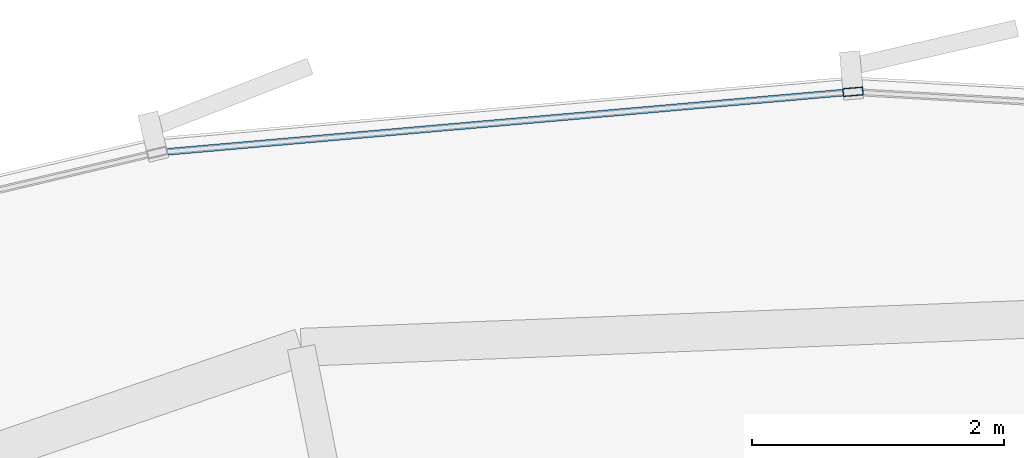
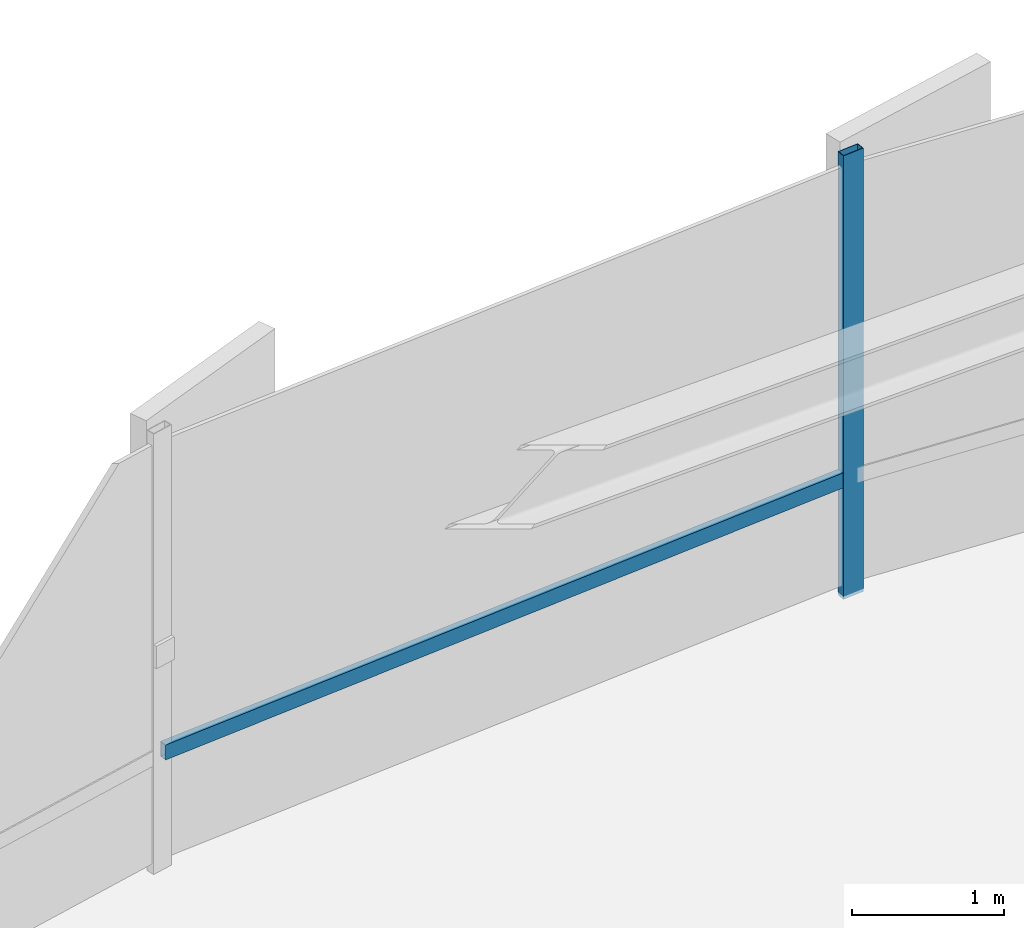
# One storey, part 24 of 39: 2 members, 1 element without a shape of its own.
"""IFC4 building model written with IfcOpenShell, lengths in metres."""

from ifc_helpers import new_model, si_unit, direction, frame, origin, origin_2d, place, context, subcontext, project, spatial, hollow_rectangle, extrude, source, transform, mapped, material, layer, layer_set, material_profile, profile_set, type_object, element, aggregate, save


model = new_model("IFC4")

# Units and contexts
model_context = context("Model", 3, precision=1e-05, world=origin(), true_north=direction((0.0, 1.0)))
body_context = subcontext(model_context, "Body", "Model", "MODEL_VIEW")
ifc_project = project(units=[si_unit("LENGTHUNIT", "METRE"), si_unit("AREAUNIT", "SQUARE_METRE"), si_unit("VOLUMEUNIT", "CUBIC_METRE"), si_unit("PLANEANGLEUNIT", "RADIAN"), si_unit("MASSUNIT", "GRAM", prefix="KILO"), si_unit("THERMODYNAMICTEMPERATUREUNIT", "KELVIN")], contexts=[model_context])

# Site, building, storey
site_placement = place(None, origin())
site = spatial("IfcSite", under=ifc_project, at=site_placement, CompositionType="ELEMENT")
building_placement = place(site_placement, origin())
building = spatial("IfcBuilding", under=site, at=building_placement, Name="Kethvar Cultural Tower", CompositionType="ELEMENT")
storey_placement = place(building_placement, frame((0.0, 0.0, 33.39990234375)))
storey = spatial("IfcBuildingStorey", under=building, at=storey_placement, Name="L07", CompositionType="ELEMENT", Elevation=33.39990234375)

# Curtain wall, members
ifc_material = material(Name="Aluminium 6063-T6", Category="aluminium")
ifc_layer = layer(ifc_material, 0.179931640625, Name="Aluminium 6063-T6", Category="aluminium")
ifc_layer_set = layer_set([ifc_layer], Name="Aluminium 6063-T6 (180 mm)")
curtain_wall_type = type_object("IfcCurtainWallType", Name="CW-SYS-02-Z1", PredefinedType="NOTDEFINED", material=ifc_layer_set)
curtain_wall_placement = place(storey_placement, origin())
curtain_wall = element("IfcCurtainWall", 1, at=curtain_wall_placement, inside=storey, type_object=curtain_wall_type, Name="L07 Curtain Wall Run 03", PredefinedType="NOTDEFINED")
ifc_material_profile_1 = material_profile(ifc_material, hollow_rectangle(XDim=0.06494140625, YDim=0.159912109375, WallThickness=0.0048828125, at=origin_2d()), Name="Aluminium 6063-T6 — RHS160x65x5")
ifc_profile_set_1 = profile_set([ifc_material_profile_1], Name="Aluminium 6063-T6 — RHS160x65x5")
member_type_1 = type_object("IfcMemberType", Name="CW-SYS-02-Z1-MUL", PredefinedType="MULLION", material=ifc_profile_set_1)
shared_shape_1 = source(origin(), body_context, "Body", "SweptSolid", [
    extrude(hollow_rectangle(XDim=0.06494140625, YDim=0.159912109375, WallThickness=0.0048828125, at=origin_2d()), origin(), (0.0, 0.0, 1.0), 3.550048828125),
])
member_1_placement = place(storey_placement, frame((46.39990234375, 53.818603515625, 0.0), z_axis=(0.0, 0.0, 1.0), x_axis=(0.087207903261, -0.996190133262, 0.0)))
member_1 = element("IfcMember", 2, at=member_1_placement, type_object=member_type_1, Name="CW-L07-R03 Mullion 2", PredefinedType="MULLION", context=body_context, shape_type="MappedRepresentation", body=[
    mapped(shared_shape_1, transform((0.0, 0.0, 0.0), scale=1.0)),
])
ifc_material_profile_2 = material_profile(ifc_material, hollow_rectangle(XDim=0.054931640625, YDim=0.1201171875, WallThickness=0.00390625, at=origin_2d()), Name="Aluminium 6063-T6 — RHS120x55x4")
ifc_profile_set_2 = profile_set([ifc_material_profile_2], Name="Aluminium 6063-T6 — RHS120x55x4")
member_type_2 = type_object("IfcMemberType", Name="CW-SYS-02-Z1-TRN", PredefinedType="USERDEFINED", material=ifc_profile_set_2)
shared_shape_2 = source(origin(), body_context, "Body", "SweptSolid", [
    extrude(hollow_rectangle(XDim=0.054931640625, YDim=0.1201171875, WallThickness=0.00390625, at=origin_2d()), origin(), (0.0, 0.0, 1.0), 5.4580078125),
])
member_2_placement = place(storey_placement, frame((46.353271484375, 53.814453125, 0.9501953125), z_axis=(-0.996188714996, -0.087224102835, 0.0), x_axis=(0.087224102835, -0.996188714996, 0.0)))
member_2 = element("IfcMember", 3, at=member_2_placement, type_object=member_type_2, Name="CW-L07-R03 Transom 2", ObjectType="TRANSOM", PredefinedType="USERDEFINED", context=body_context, shape_type="MappedRepresentation", body=[
    mapped(shared_shape_2, transform((0.0, 0.0, 0.0), scale=1.0)),
])
aggregate(curtain_wall, [member_1, member_2])

save(model, "model.ifc")
